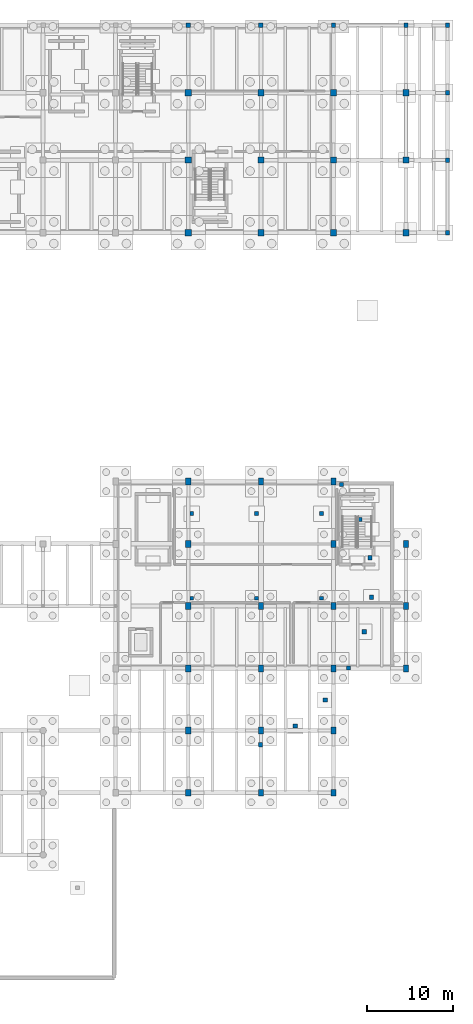
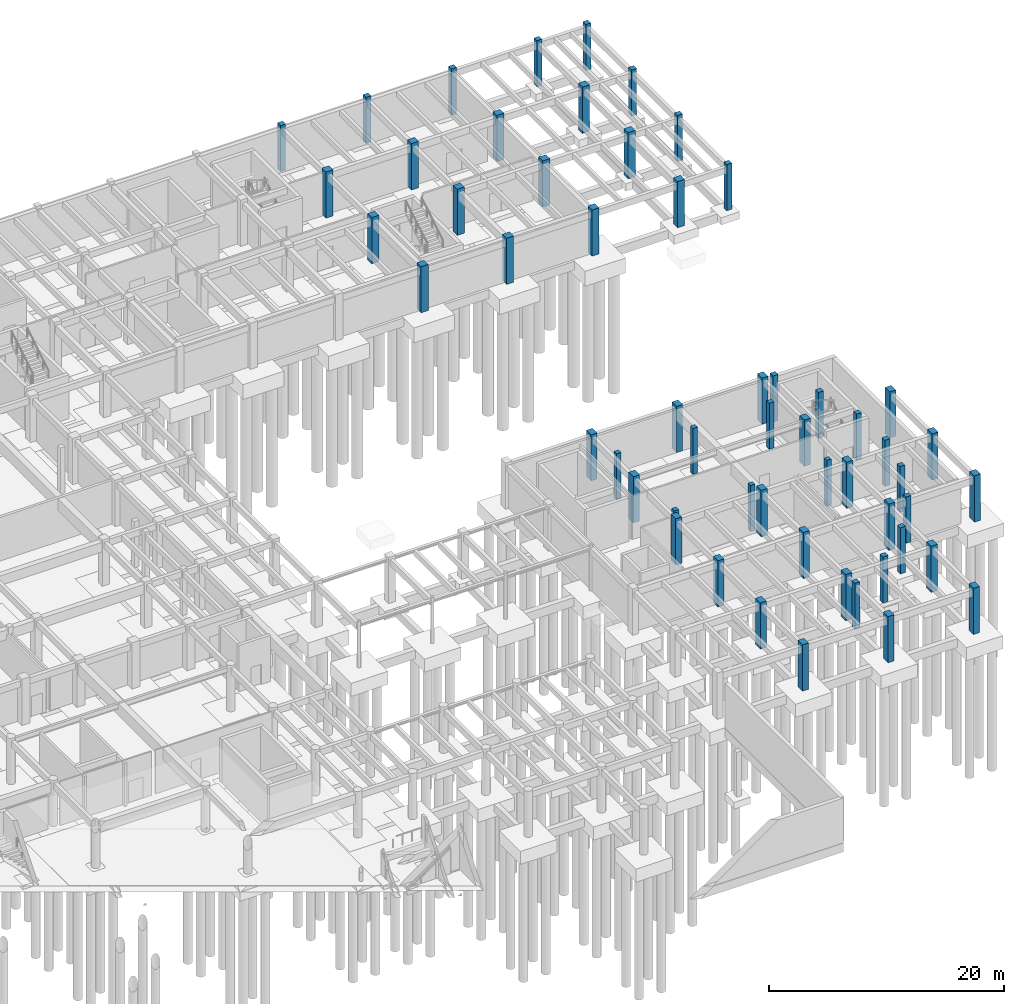
# One storey, part 18 of 46: 55 columns.
"""IFC4 building model written with IfcOpenShell, lengths in metres."""

from ifc_helpers import new_model, si_unit, direction, frame, origin, origin_2d, place, context, subcontext, project, spatial, rectangle, extrude, material, material_profile, profile_set, type_object, element, save


model = new_model("IFC4")

# Units and contexts
model_context = context("Model", 3, precision=1e-05, world=origin(), true_north=direction((0.0, 1.0)))
body_context = subcontext(model_context, "Body", "Model", "MODEL_VIEW")
ifc_project = project(units=[si_unit("LENGTHUNIT", "METRE"), si_unit("AREAUNIT", "SQUARE_METRE"), si_unit("VOLUMEUNIT", "CUBIC_METRE"), si_unit("PLANEANGLEUNIT", "RADIAN"), si_unit("MASSUNIT", "GRAM", prefix="KILO")], contexts=[model_context])

# Site, building, storey
site_placement = place(None, origin())
site = spatial("IfcSite", under=ifc_project, at=site_placement, CompositionType="ELEMENT")
building_placement = place(site_placement, origin())
building = spatial("IfcBuilding", under=site, at=building_placement, Name="Tazoul Stagehouse", CompositionType="ELEMENT")
storey_placement = place(building_placement, frame((0.0, 0.0, -4.800048828125)))
storey = spatial("IfcBuildingStorey", under=building, at=storey_placement, Name="B1", CompositionType="ELEMENT", Elevation=-4.800048828125)

# Columns
ifc_material = material(Name="Concrete C40/50", Category="concrete")
ifc_material_profile_1 = material_profile(ifc_material, rectangle(XDim=0.449951171875, YDim=0.449951171875, at=origin_2d()), Name="RC 450x450")
ifc_profile_set_1 = profile_set([ifc_material_profile_1], Name="Concrete C40/50")
column_type_1 = type_object("IfcColumnType", Name="RC Column 450x450", PredefinedType="COLUMN", material=ifc_profile_set_1)
for number, where, z_axis, x_axis, name in (
    (1, (134.199951171875, 55.300048828125, 0.0), (0.0, 0.0, 1.0), (1.0, 0.0, 0.0), "B1 Bowl Support Column C-01 (V4-STUDIO-FRT-1)"),
    (2, (141.699951171875, 55.300048828125, 0.0), (0.0, 0.0, 1.0), (1.0, 0.0, 0.0), "B1 Bowl Support Column C-01 (V4-STUDIO-FRT-2)"),
    (3, (149.199951171875, 55.300048828125, 0.0), (0.0, 0.0, 1.0), (1.0, 0.0, 0.0), "B1 Bowl Support Column C-01 (V4-STUDIO-FRT-3)"),
    (4, (134.199951171875, 45.5, 0.0), (0.0, 0.0, 1.0), (1.0, 0.0, 0.0), "B1 Bowl Support Column C-01 (V4-STUDIO-RER-1)"),
    (5, (141.699951171875, 45.5, 0.0), (0.0, 0.0, 1.0), (1.0, 0.0, 0.0), "B1 Bowl Support Column C-01 (V4-STUDIO-RER-2)"),
    (6, (149.199951171875, 45.5, 0.0), (0.0, 0.0, 1.0), (1.0, 0.0, 0.0), "B1 Bowl Support Column C-01 (V4-STUDIO-RER-3)"),
):
    element("IfcColumn", number, at=place(storey_placement, frame(where, z_axis=z_axis, x_axis=x_axis)), inside=storey, type_object=column_type_1, Name=name, PredefinedType="COLUMN", context=body_context, shape_type="SweptSolid", body=[
        extrude(rectangle(XDim=0.449951171875, YDim=0.449951171875, at=origin_2d()), origin(), (0.0, 0.0, 1.0), 4.800048828125),
    ])
ifc_material_profile_2 = material_profile(ifc_material, rectangle(XDim=0.5, YDim=0.5, at=origin_2d()), Name="RC 500x500")
ifc_profile_set_2 = profile_set([ifc_material_profile_2], Name="Concrete C40/50")
column_type_2 = type_object("IfcColumnType", Name="RC Column 500x500", PredefinedType="COLUMN", material=ifc_profile_set_2)
for number, where, z_axis, x_axis, name in (
    (7, (151.5283203125, 58.66943359375, 0.0), (0.0, 0.0, 1.0), (1.0, 0.0, 0.0), "B1 Studio Drum Perimeter Column C-02 (01)"),
    (8, (153.6494140625, 54.6162109375, 0.0), (0.0, 0.0, 1.0), (1.0, 0.0, 0.0), "B1 Studio Drum Perimeter Column C-02 (02)"),
    (9, (154.82373046875, 50.19482421875, 0.0), (0.0, 0.0, 1.0), (1.0, 0.0, 0.0), "B1 Studio Drum Perimeter Column C-02 (03)"),
    (10, (154.993408203125, 45.623291015625, 0.0), (0.0, 0.0, 1.0), (1.0, 0.0, 0.0), "B1 Studio Drum Perimeter Column C-02 (04)"),
    (11, (154.14990234375, 41.627197265625, 0.0), (0.0, 0.0, 1.0), (1.0, 0.0, 0.0), "B1 Studio Drum Perimeter Column C-02 (05)"),
    (12, (152.3349609375, 37.427978515625, 0.0), (0.0, 0.0, 1.0), (1.0, 0.0, 0.0), "B1 Studio Drum Perimeter Column C-02 (06)"),
    (13, (149.637939453125, 33.73291015625, 0.0), (0.0, 0.0, 1.0), (1.0, 0.0, 0.0), "B1 Studio Drum Perimeter Column C-02 (07)"),
    (14, (146.19189453125, 30.72412109375, 0.0), (0.0, 0.0, 1.0), (1.0, 0.0, 0.0), "B1 Studio Drum Perimeter Column C-02 (08)"),
    (15, (142.1669921875, 28.550048828125, 0.0), (0.0, 0.0, 1.0), (1.0, 0.0, 0.0), "B1 Studio Drum Perimeter Column C-02 (09)"),
):
    element("IfcColumn", number, at=place(storey_placement, frame(where, z_axis=z_axis, x_axis=x_axis)), inside=storey, type_object=column_type_2, Name=name, PredefinedType="COLUMN", context=body_context, shape_type="SweptSolid", body=[
        extrude(rectangle(XDim=0.5, YDim=0.5, at=origin_2d()), origin(), (0.0, 0.0, 1.0), 4.800048828125),
    ])
ifc_material_profile_3 = material_profile(ifc_material, rectangle(XDim=0.5, YDim=0.5, at=origin_2d()), Name="RC 500x500")
ifc_profile_set_3 = profile_set([ifc_material_profile_3], Name="Concrete C40/50")
column_type_3 = type_object("IfcColumnType", Name="RC Column 500x500 (Exterior)", PredefinedType="COLUMN", material=ifc_profile_set_3)
for number, where, z_axis, x_axis, name in (
    (16, (133.800048828125, 111.800048828125, 0.0), (0.0, 0.0, 1.0), (1.0, 0.0, 0.0), "B1 Column C-02E at 20/R"),
    (17, (142.199951171875, 111.800048828125, 0.0), (0.0, 0.0, 1.0), (1.0, 0.0, 0.0), "B1 Column C-02E at 21/R"),
    (18, (150.60009765625, 111.800048828125, 0.0), (0.0, 0.0, 1.0), (1.0, 0.0, 0.0), "B1 Column C-02E at 22/R"),
    (19, (159.0, 111.800048828125, 0.0), (0.0, 0.0, 1.0), (1.0, 0.0, 0.0), "B1 Column C-02E at 23/R"),
    (20, (163.800048828125, 87.800048828125, 0.0), (0.0, 0.0, 1.0), (1.0, 0.0, 0.0), "B1 Column C-02E at 24/N"),
    (21, (163.800048828125, 96.199951171875, 0.0), (0.0, 0.0, 1.0), (1.0, 0.0, 0.0), "B1 Column C-02E at 24/P"),
    (22, (163.800048828125, 104.0, 0.0), (0.0, 0.0, 1.0), (1.0, 0.0, 0.0), "B1 Column C-02E at 24/Q"),
    (23, (163.800048828125, 111.800048828125, 0.0), (0.0, 0.0, 1.0), (1.0, 0.0, 0.0), "B1 Column C-02E at 24/R"),
):
    element("IfcColumn", number, at=place(storey_placement, frame(where, z_axis=z_axis, x_axis=x_axis)), inside=storey, type_object=column_type_3, Name=name, PredefinedType="COLUMN", context=body_context, shape_type="SweptSolid", body=[
        extrude(rectangle(XDim=0.5, YDim=0.5, at=origin_2d()), origin(), (0.0, 0.0, 1.0), 4.800048828125),
    ])
ifc_material_profile_4 = material_profile(ifc_material, rectangle(XDim=0.60009765625, YDim=0.800048828125, at=origin_2d()), Name="RC 600x800")
ifc_profile_set_4 = profile_set([ifc_material_profile_4], Name="Concrete C40/50")
column_type_4 = type_object("IfcColumnType", Name="RC Column 600x800", PredefinedType="COLUMN", material=ifc_profile_set_4)
for number, where, z_axis, x_axis, name in (
    (24, (133.800048828125, 44.60009765625, 0.0), (0.0, 0.0, 1.0), (1.0, 0.0, 0.0), "B1 Column C-06 at 20/G"),
    (25, (133.800048828125, 51.800048828125, 0.0), (0.0, 0.0, 1.0), (1.0, 0.0, 0.0), "B1 Column C-06 at 20/H"),
    (26, (142.199951171875, 44.60009765625, 0.0), (0.0, 0.0, 1.0), (1.0, 0.0, 0.0), "B1 Column C-06 at 21/G"),
    (27, (150.60009765625, 44.60009765625, 0.0), (0.0, 0.0, 1.0), (1.0, 0.0, 0.0), "B1 Column C-06 at 22/G"),
    (28, (150.60009765625, 51.800048828125, 0.0), (0.0, 0.0, 1.0), (1.0, 0.0, 0.0), "B1 Column C-06 at 22/H"),
):
    element("IfcColumn", number, at=place(storey_placement, frame(where, z_axis=z_axis, x_axis=x_axis)), inside=storey, type_object=column_type_4, Name=name, PredefinedType="COLUMN", context=body_context, shape_type="SweptSolid", body=[
        extrude(rectangle(XDim=0.60009765625, YDim=0.800048828125, at=origin_2d()), origin(), (0.0, 0.0, 1.0), 4.800048828125),
    ])
ifc_material_profile_5 = material_profile(ifc_material, rectangle(XDim=0.60009765625, YDim=0.800048828125, at=origin_2d()), Name="RC 600x800")
ifc_profile_set_5 = profile_set([ifc_material_profile_5], Name="Concrete C40/50")
column_type_5 = type_object("IfcColumnType", Name="RC Column 600x800 (Exterior)", PredefinedType="COLUMN", material=ifc_profile_set_5)
for number, where, z_axis, x_axis, name in (
    (29, (133.800048828125, 23.0, 0.0), (0.0, 0.0, 1.0), (1.0, 0.0, 0.0), "B1 Column C-06E at 20/D"),
    (30, (133.800048828125, 30.199951171875, 0.0), (0.0, 0.0, 1.0), (1.0, 0.0, 0.0), "B1 Column C-06E at 20/E"),
    (31, (133.800048828125, 37.39990234375, 0.0), (0.0, 0.0, 1.0), (1.0, 0.0, 0.0), "B1 Column C-06E at 20/F"),
    (32, (133.800048828125, 59.0, 0.0), (0.0, 0.0, 1.0), (1.0, 0.0, 0.0), "B1 Column C-06E at 20/J"),
    (33, (142.199951171875, 23.0, 0.0), (0.0, 0.0, 1.0), (1.0, 0.0, 0.0), "B1 Column C-06E at 21/D"),
    (34, (142.199951171875, 30.199951171875, 0.0), (0.0, 0.0, 1.0), (1.0, 0.0, 0.0), "B1 Column C-06E at 21/E"),
    (35, (142.199951171875, 37.39990234375, 0.0), (0.0, 0.0, 1.0), (1.0, 0.0, 0.0), "B1 Column C-06E at 21/F"),
    (36, (142.199951171875, 59.0, 0.0), (0.0, 0.0, 1.0), (1.0, 0.0, 0.0), "B1 Column C-06E at 21/J"),
    (37, (150.60009765625, 23.0, 0.0), (0.0, 0.0, 1.0), (1.0, 0.0, 0.0), "B1 Column C-06E at 22/D"),
    (38, (150.60009765625, 30.199951171875, 0.0), (0.0, 0.0, 1.0), (1.0, 0.0, 0.0), "B1 Column C-06E at 22/E"),
    (39, (150.60009765625, 37.39990234375, 0.0), (0.0, 0.0, 1.0), (1.0, 0.0, 0.0), "B1 Column C-06E at 22/F"),
    (40, (150.60009765625, 59.0, 0.0), (0.0, 0.0, 1.0), (1.0, 0.0, 0.0), "B1 Column C-06E at 22/J"),
    (41, (159.0, 37.39990234375, 0.0), (0.0, 0.0, 1.0), (1.0, 0.0, 0.0), "B1 Column C-06E at 23/F"),
    (42, (159.0, 44.60009765625, 0.0), (0.0, 0.0, 1.0), (1.0, 0.0, 0.0), "B1 Column C-06E at 23/G"),
    (43, (159.0, 51.800048828125, 0.0), (0.0, 0.0, 1.0), (1.0, 0.0, 0.0), "B1 Column C-06E at 23/H"),
):
    element("IfcColumn", number, at=place(storey_placement, frame(where, z_axis=z_axis, x_axis=x_axis)), inside=storey, type_object=column_type_5, Name=name, PredefinedType="COLUMN", context=body_context, shape_type="SweptSolid", body=[
        extrude(rectangle(XDim=0.60009765625, YDim=0.800048828125, at=origin_2d()), origin(), (0.0, 0.0, 1.0), 4.800048828125),
    ])
ifc_material_profile_6 = material_profile(ifc_material, rectangle(XDim=0.699951171875, YDim=0.699951171875, at=origin_2d()), Name="RC 700x700")
ifc_profile_set_6 = profile_set([ifc_material_profile_6], Name="Concrete C40/50")
column_type_6 = type_object("IfcColumnType", Name="RC Column 700x700", PredefinedType="COLUMN", material=ifc_profile_set_6)
for number, where, z_axis, x_axis, name in (
    (44, (133.800048828125, 96.199951171875, 0.0), (0.0, 0.0, 1.0), (1.0, 0.0, 0.0), "B1 Column C-04 at 20/P"),
    (45, (133.800048828125, 104.0, 0.0), (0.0, 0.0, 1.0), (1.0, 0.0, 0.0), "B1 Column C-04 at 20/Q"),
    (46, (142.199951171875, 96.199951171875, 0.0), (0.0, 0.0, 1.0), (1.0, 0.0, 0.0), "B1 Column C-04 at 21/P"),
    (47, (142.199951171875, 104.0, 0.0), (0.0, 0.0, 1.0), (1.0, 0.0, 0.0), "B1 Column C-04 at 21/Q"),
):
    element("IfcColumn", number, at=place(storey_placement, frame(where, z_axis=z_axis, x_axis=x_axis)), inside=storey, type_object=column_type_6, Name=name, PredefinedType="COLUMN", context=body_context, shape_type="SweptSolid", body=[
        extrude(rectangle(XDim=0.699951171875, YDim=0.699951171875, at=origin_2d()), origin(), (0.0, 0.0, 1.0), 4.800048828125),
    ])
ifc_material_profile_7 = material_profile(ifc_material, rectangle(XDim=0.699951171875, YDim=0.699951171875, at=origin_2d()), Name="RC 700x700")
ifc_profile_set_7 = profile_set([ifc_material_profile_7], Name="Concrete C40/50")
column_type_7 = type_object("IfcColumnType", Name="RC Column 700x700 (Exterior)", PredefinedType="COLUMN", material=ifc_profile_set_7)
for number, where, z_axis, x_axis, name in (
    (48, (133.800048828125, 87.800048828125, 0.0), (0.0, 0.0, 1.0), (1.0, 0.0, 0.0), "B1 Column C-04E at 20/N"),
    (49, (142.199951171875, 87.800048828125, 0.0), (0.0, 0.0, 1.0), (1.0, 0.0, 0.0), "B1 Column C-04E at 21/N"),
    (50, (150.60009765625, 87.800048828125, 0.0), (0.0, 0.0, 1.0), (1.0, 0.0, 0.0), "B1 Column C-04E at 22/N"),
    (51, (150.60009765625, 96.199951171875, 0.0), (0.0, 0.0, 1.0), (1.0, 0.0, 0.0), "B1 Column C-04E at 22/P"),
    (52, (150.60009765625, 104.0, 0.0), (0.0, 0.0, 1.0), (1.0, 0.0, 0.0), "B1 Column C-04E at 22/Q"),
    (53, (159.0, 87.800048828125, 0.0), (0.0, 0.0, 1.0), (1.0, 0.0, 0.0), "B1 Column C-04E at 23/N"),
    (54, (159.0, 96.199951171875, 0.0), (0.0, 0.0, 1.0), (1.0, 0.0, 0.0), "B1 Column C-04E at 23/P"),
    (55, (159.0, 104.0, 0.0), (0.0, 0.0, 1.0), (1.0, 0.0, 0.0), "B1 Column C-04E at 23/Q"),
):
    element("IfcColumn", number, at=place(storey_placement, frame(where, z_axis=z_axis, x_axis=x_axis)), inside=storey, type_object=column_type_7, Name=name, PredefinedType="COLUMN", context=body_context, shape_type="SweptSolid", body=[
        extrude(rectangle(XDim=0.699951171875, YDim=0.699951171875, at=origin_2d()), origin(), (0.0, 0.0, 1.0), 4.800048828125),
    ])

save(model, "model.ifc")
